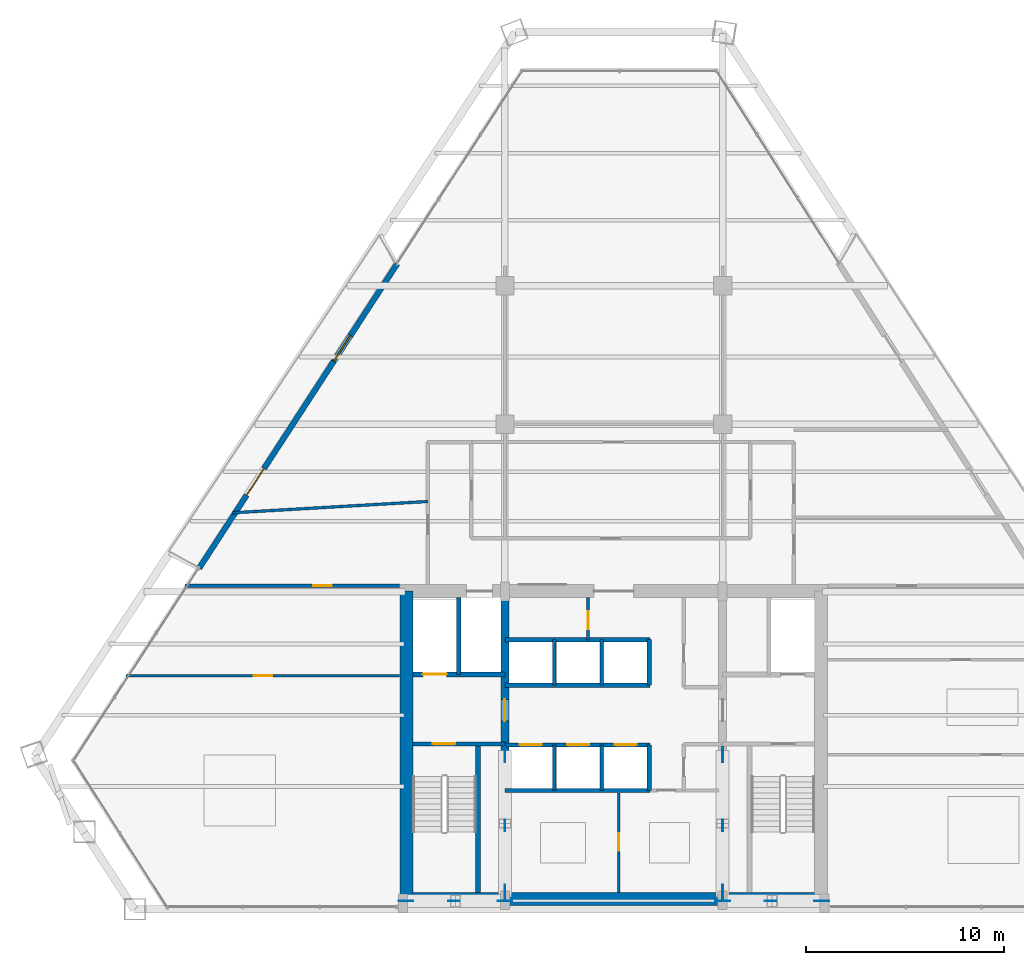
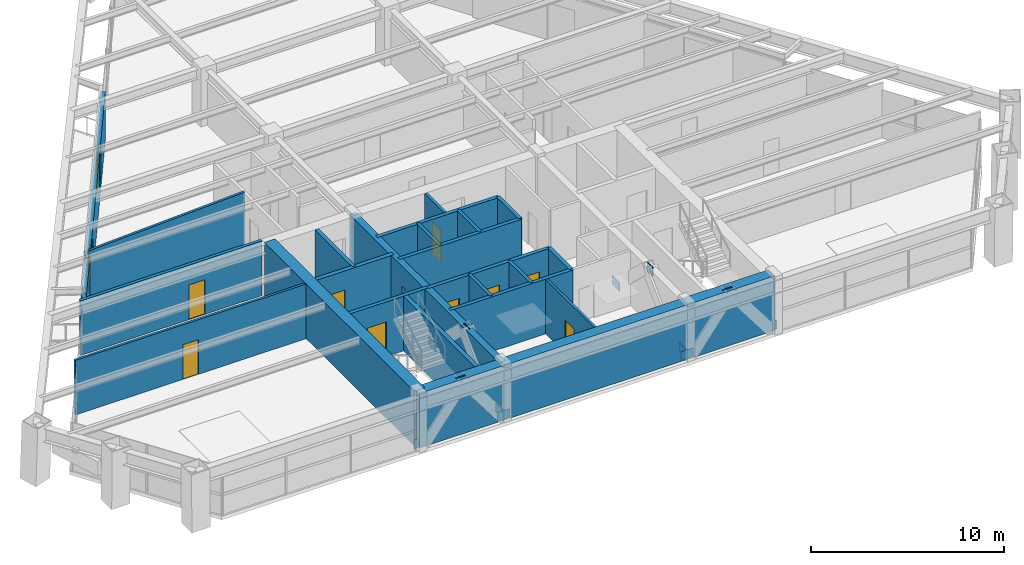
# One storey, part 11 of 15: 23 walls, 12 plates, 11 doors, 1 window, 12 openings.
"""IFC4 building model written with IfcOpenShell, lengths in metres."""

from ifc_helpers import new_model, si_unit, direction, frame, frame_2d, origin, origin_2d, place, context, subcontext, project, spatial, rectangle, extrude, source, transform, mapped, material, layer, layer_set, type_object, type_shapes, element, fill, save


model = new_model("IFC4")

# Units and contexts
model_context = context("Model", 3, precision=1e-05, world=origin(), true_north=direction((0.0, 1.0)))
body_context = subcontext(model_context, "Body", "Model", "MODEL_VIEW")
ifc_project = project(units=[si_unit("LENGTHUNIT", "METRE"), si_unit("AREAUNIT", "SQUARE_METRE"), si_unit("VOLUMEUNIT", "CUBIC_METRE"), si_unit("PLANEANGLEUNIT", "RADIAN"), si_unit("MASSUNIT", "GRAM", prefix="KILO")], contexts=[model_context])

# Site, building, storey
site_placement = place(None, origin())
site = spatial("IfcSite", under=ifc_project, at=site_placement, CompositionType="ELEMENT")
building_placement = place(site_placement, origin())
building = spatial("IfcBuilding", under=site, at=building_placement, Name="Varnakhor Terracotta Tower", CompositionType="ELEMENT")
storey_placement = place(building_placement, frame((0.0, 0.0, 140.39990234375)))
storey = spatial("IfcBuildingStorey", under=building, at=storey_placement, Name="L35", CompositionType="ELEMENT", Elevation=140.39990234375)

# Plates
ifc_material_1 = material(Name="Steel S460", Category="steel")
ifc_layer_1 = layer(ifc_material_1, 0.050048828125, Name="Steel S460")
ifc_layer_set_1 = layer_set([ifc_layer_1], Name="Steel S460")
plate_type = type_object("IfcPlateType", Name="PLT-GUSSET-50", PredefinedType="USERDEFINED", material=ifc_layer_set_1)
shared_shape_1 = source(origin(), body_context, "Body", "SweptSolid", [
    extrude(rectangle(XDim=0.75, YDim=0.0400390625, at=origin_2d()), origin(), (0.0, 0.0, 1.0), 0.550048828125),
])
type_shapes(plate_type, [shared_shape_1])
for number, where, z_axis, x_axis, name in (
    (1, (-10.5, 0.419921875, -0.0947265625), (0.0, 0.0, 1.0), (1.0, 0.0, 0.0), "L35 Core Brace Embed Plate CSWA"),
    (2, (-5.5, 0.419921875, -0.0947265625), (0.0, 0.0, 1.0), (1.0, 0.0, 0.0), "L35 Core Brace Embed Plate CSWB"),
    (3, (5.5, 0.419921875, -0.0947265625), (0.0, 0.0, 1.0), (1.0, 0.0, 0.0), "L35 Core Brace Embed Plate CSEA"),
    (4, (10.5, 0.419921875, -0.0947265625), (0.0, 0.0, 1.0), (1.0, 0.0, 0.0), "L35 Core Brace Embed Plate CSEB"),
    (5, (-5.5, 0.85009765625, -0.0947265625), (0.0, 0.0, 1.0), (0.0, 1.0, 0.0), "L35 Core Brace Embed Plate CWWA"),
    (6, (-5.5, 7.800048828125, -0.0947265625), (0.0, 0.0, 1.0), (0.0, 1.0, 0.0), "L35 Core Brace Embed Plate CWWB"),
    (7, (5.5, 0.85009765625, -0.0947265625), (0.0, 0.0, 1.0), (0.0, 1.0, 0.0), "L35 Core Brace Embed Plate CWEA"),
    (8, (5.5, 7.800048828125, -0.0947265625), (0.0, 0.0, 1.0), (0.0, 1.0, 0.0), "L35 Core Brace Embed Plate CWEB"),
):
    element("IfcPlate", number, at=place(storey_placement, frame(where, z_axis=z_axis, x_axis=x_axis)), inside=storey, type_object=plate_type, Name=name, ObjectType="GUSSET PLATE", PredefinedType="USERDEFINED", context=body_context, shape_type="MappedRepresentation", body=[
        mapped(shared_shape_1, transform((0.0, 0.0, 0.0), scale=1.0)),
    ])
shared_shape_2 = source(origin(), body_context, "Body", "SweptSolid", [
    extrude(rectangle(XDim=0.580078125, YDim=0.0400390625, at=origin_2d()), origin(), (0.0, 0.0, 1.0), 0.580078125),
])
for number, where, z_axis, x_axis, name in (
    (9, (-8.072265625, 0.419921875, 2.93408203125), (0.0, 0.0, 1.0), (1.0, 0.0, 0.0), "L35 Brace End Connection Plate 120"),
    (10, (7.927734375, 0.419921875, 2.93408203125), (0.0, 0.0, 1.0), (1.0, 0.0, 0.0), "L35 Brace End Connection Plate 121"),
    (11, (-5.5, 4.23828125, 2.947265625), (0.0, 0.0, 1.0), (0.0, 1.0, 0.0), "L35 Brace End Connection Plate 122"),
    (12, (5.5, 4.23828125, 2.947265625), (0.0, 0.0, 1.0), (0.0, 1.0, 0.0), "L35 Brace End Connection Plate 123"),
):
    element("IfcPlate", number, at=place(storey_placement, frame(where, z_axis=z_axis, x_axis=x_axis)), inside=storey, type_object=plate_type, Name=name, ObjectType="GUSSET PLATE", PredefinedType="USERDEFINED", context=body_context, shape_type="MappedRepresentation", body=[
        mapped(shared_shape_2, transform((0.0, 0.0, 0.0), scale=1.0)),
    ])

# Walls
ifc_material_2 = material(Name="Concrete C50/60", Category="concrete")
ifc_layer_2 = layer(ifc_material_2, 0.64990234375, Name="Concrete C50/60")
ifc_layer_set_2 = layer_set([ifc_layer_2], Name="Concrete C50/60")
wall_type_1 = type_object("IfcWallType", Name="WAL-CORE-650", PredefinedType="SHEAR", material=ifc_layer_set_2)
wall_1_placement = place(storey_placement, frame((-10.64990234375, 0.52490234375, 0.0), z_axis=(0.0, 0.0, 1.0), x_axis=(1.0, 0.0, 0.0)))
element("IfcWall", 13, at=wall_1_placement, inside=storey, type_object=wall_type_1, Name="L35 South Core Shear Wall", PredefinedType="SHEAR", context=body_context, shape_type="SweptSolid", body=[
    extrude(rectangle(XDim=21.2998046875, YDim=0.64990234375, at=frame_2d((10.64990234375, 0.0))), origin(), (0.0, 0.0, 1.0), 3.47021484375),
])
wall_2_placement = place(storey_placement, frame((-10.47509765625, 0.52490234375, 0.0), z_axis=(0.0, 0.0, 1.0), x_axis=(0.0, 1.0, 0.0)))
element("IfcWall", 14, at=wall_2_placement, inside=storey, type_object=wall_type_1, Name="L35 West Core Shear Wall", PredefinedType="SHEAR", context=body_context, shape_type="SweptSolid", body=[
    extrude(rectangle(XDim=15.550048828125, YDim=0.64990234375, at=frame_2d((7.77490234375, 0.0))), origin(), (0.0, 0.0, 1.0), 3.47021484375),
])

# Wall, opening, door
ifc_layer_3 = layer(ifc_material_2, 0.39990234375, Name="Concrete C50/60")
ifc_layer_set_3 = layer_set([ifc_layer_3], Name="Concrete C50/60")
wall_type_2 = type_object("IfcWallType", Name="WAL-CORE-WEB-400", PredefinedType="SHEAR", material=ifc_layer_set_3)
wall_3_placement = place(storey_placement, frame((-5.5, 0.52490234375, 0.0), z_axis=(0.0, 0.0, 1.0), x_axis=(0.0, 1.0, 0.0)))
wall_3 = element("IfcWall", 15, at=wall_3_placement, inside=storey, type_object=wall_type_2, Name="L35 West Core Web Shear Wall", PredefinedType="SHEAR", context=body_context, shape_type="SweptSolid", body=[
    extrude(rectangle(XDim=15.550048828125, YDim=0.39990234375, at=frame_2d((7.77490234375, 0.0))), origin(), (0.0, 0.0, 1.0), 3.47021484375),
])
opening_1_placement = place(wall_3_placement, frame((8.97509765625, 0.0, 0.0)))
opening_1 = element("IfcOpeningElement", 16, at=opening_1_placement, cuts=wall_3, Name="Opening DR-25", PredefinedType="OPENING", context=body_context, shape_type="SweptSolid", body=[
    extrude(rectangle(XDim=1.10009765625, YDim=2.199951171875, at=frame_2d((0.550048828125, 1.10009765625))), frame((0.0, 0.2099609375, 0.0), z_axis=(0.0, -1.0, 0.0), x_axis=(1.0, 0.0, 0.0)), (0.0, 0.0, 1.0), 0.419921875),
])
ifc_material_3 = material(Name="Firefighting Lobby Self-Closing Fire Door", Category="steel")
door_type_1 = type_object("IfcDoorType", Name="DR-FFL-1100X2200", OperationType="NOTDEFINED", PredefinedType="DOOR", material=ifc_material_3)
shared_shape_3 = source(origin(), body_context, "Body", "SweptSolid", [
    extrude(rectangle(XDim=1.10009765625, YDim=2.199951171875, at=frame_2d((0.550048828125, 1.10009765625))), frame((0.0, 0.02490234375, 0.0), z_axis=(0.0, -1.0, 0.0), x_axis=(1.0, 0.0, 0.0)), (0.0, 0.0, 1.0), 0.050048828125),
])
type_shapes(door_type_1, [shared_shape_3])
door_1_placement = place(opening_1_placement, origin())
door_1 = element("IfcDoor", 17, at=door_1_placement, inside=storey, type_object=door_type_1, Name="L35 West Firefighting Lobby Door", OperationType="SINGLE_SWING_LEFT", OverallHeight=2.199951171875, OverallWidth=1.10009765625, PredefinedType="DOOR", context=body_context, shape_type="MappedRepresentation", body=[
    mapped(shared_shape_3, transform((0.0, 0.0, 0.0), scale=1.0)),
])
fill(opening_1, door_1)

ifc_material_4 = material(Name="Fire-Rated Gypsum Stud Partition", Category="gypsum")
ifc_layer_4 = layer(ifc_material_4, 0.18505859375, Name="Fire-Rated Gypsum Stud Partition")
ifc_layer_set_4 = layer_set([ifc_layer_4], Name="Fire-Rated Gypsum Stud Partition")
wall_type_3 = type_object("IfcWallType", Name="WAL-CORR-185", PredefinedType="PARTITIONING", material=ifc_layer_set_4)
wall_4_placement = place(storey_placement, frame((-21.67529296875, 16.35009765625, 0.0), z_axis=(0.0, 0.0, 1.0), x_axis=(1.0, 0.0, 0.0)))
wall_4 = element("IfcWall", 18, at=wall_4_placement, inside=storey, type_object=wall_type_3, Name="L35 South West Entry Wall", PredefinedType="PARTITIONING", context=body_context, shape_type="SweptSolid", body=[
    extrude(rectangle(XDim=10.855224609375, YDim=0.18505859375, at=frame_2d((5.427734375, 0.0))), origin(), (0.0, 0.0, 1.0), 3.462158203125),
])
opening_2_placement = place(wall_4_placement, frame((6.47900390625, 0.0, 0.0)))
opening_2 = element("IfcOpeningElement", 19, at=opening_2_placement, cuts=wall_4, Name="Opening DR-94", PredefinedType="OPENING", context=body_context, shape_type="SweptSolid", body=[
    extrude(rectangle(XDim=0.949951171875, YDim=2.199951171875, at=frame_2d((0.47509765625, 1.10009765625))), frame((0.0, 0.1025390625, 0.0), z_axis=(0.0, -1.0, 0.0), x_axis=(1.0, 0.0, 0.0)), (0.0, 0.0, 1.0), 0.205078125),
])
ifc_material_5 = material(Name="Acoustic Glazed-Vision Timber Office Door", Category="wood")
door_type_2 = type_object("IfcDoorType", Name="DR-OFF-950X2200", OperationType="NOTDEFINED", PredefinedType="DOOR", material=ifc_material_5)
shared_shape_4 = source(origin(), body_context, "Body", "SweptSolid", [
    extrude(rectangle(XDim=0.949951171875, YDim=2.199951171875, at=frame_2d((0.47509765625, 1.10009765625))), frame((0.0, 0.02490234375, 0.0), z_axis=(0.0, -1.0, 0.0), x_axis=(1.0, 0.0, 0.0)), (0.0, 0.0, 1.0), 0.050048828125),
])
type_shapes(door_type_2, [shared_shape_4])
door_2_placement = place(opening_2_placement, origin())
door_2 = element("IfcDoor", 20, at=door_2_placement, inside=storey, type_object=door_type_2, Name="L35 SW Suite Door", OperationType="SINGLE_SWING_RIGHT", OverallHeight=2.199951171875, OverallWidth=0.949951171875, PredefinedType="DOOR", context=body_context, shape_type="MappedRepresentation", body=[
    mapped(shared_shape_4, transform((0.0, 0.0, 0.0), scale=1.0)),
])
fill(opening_2, door_2)

# Wall, openings, door, window
ifc_material_6 = material(Name="Extruded Architectural Terracotta Assembly", Category="masonry")
ifc_layer_5 = layer(ifc_material_6, 0.280029296875, Name="Extruded Architectural Terracotta Assembly")
ifc_layer_set_5 = layer_set([ifc_layer_5], Name="Extruded Architectural Terracotta Assembly")
wall_type_4 = type_object("IfcWallType", Name="WAL-EXT-TERRACOTTA-280", PredefinedType="SOLIDWALL", material=ifc_layer_set_5)
wall_5_placement = place(storey_placement, frame((-20.947998046875, 17.2294921875, 0.0), z_axis=(0.0, 0.0, 1.0), x_axis=(0.545376053717, 0.838191481723, 0.0)))
wall_5 = element("IfcWall", 21, at=wall_5_placement, inside=storey, type_object=wall_type_4, Name="L35 W Loggia Insulated Terracotta Wall", PredefinedType="SOLIDWALL", context=body_context, shape_type="SweptSolid", body=[
    extrude(rectangle(XDim=18.34619140625, YDim=0.280029296875, at=frame_2d((9.173095703125, 0.0))), origin(), (0.0, 0.0, 1.0), 3.050048828125),
])
opening_3_placement = place(wall_5_placement, frame((4.403076171875, 0.0, 0.0)))
opening_3 = element("IfcOpeningElement", 22, at=opening_3_placement, cuts=wall_5, Name="Opening DR-62", PredefinedType="OPENING", context=body_context, shape_type="SweptSolid", body=[
    extrude(rectangle(XDim=1.60009765625, YDim=2.35009765625, at=frame_2d((0.800048828125, 1.175048828125))), frame((0.0, 0.14990234375, 0.0), z_axis=(0.0, -1.0, 0.0), x_axis=(1.0, 0.0, 0.0)), (0.0, 0.0, 1.0), 0.300048828125),
])
opening_4_placement = place(wall_5_placement, frame((12.475341796875, 0.0, 0.89990234375)))
opening_4 = element("IfcOpeningElement", 23, at=opening_4_placement, cuts=wall_5, Name="Opening WN-57", PredefinedType="OPENING", context=body_context, shape_type="SweptSolid", body=[
    extrude(rectangle(XDim=1.550048828125, YDim=1.85009765625, at=frame_2d((0.77490234375, 0.925048828125))), frame((0.0, 0.14990234375, 0.0), z_axis=(0.0, -1.0, 0.0), x_axis=(1.0, 0.0, 0.0)), (0.0, 0.0, 1.0), 0.300048828125),
])
ifc_material_7 = material(Name="Thermally Broken Sliding Glass Loggia Door", Category="glass")
door_type_3 = type_object("IfcDoorType", Name="DR-EXT-LOGGIA-1600X2350", OperationType="NOTDEFINED", PredefinedType="DOOR", material=ifc_material_7)
shared_shape_5 = source(origin(), body_context, "Body", "SweptSolid", [
    extrude(rectangle(XDim=1.60009765625, YDim=2.35009765625, at=frame_2d((0.800048828125, 1.175048828125))), frame((0.0, 0.02490234375, 0.0), z_axis=(0.0, -1.0, 0.0), x_axis=(1.0, 0.0, 0.0)), (0.0, 0.0, 1.0), 0.050048828125),
])
type_shapes(door_type_3, [shared_shape_5])
door_3_placement = place(opening_3_placement, origin())
door_3 = element("IfcDoor", 24, at=door_3_placement, inside=storey, type_object=door_type_3, Name="L35 W Recessed Loggia Sliding Door", OperationType="SLIDING_TO_LEFT", OverallHeight=2.35009765625, OverallWidth=1.60009765625, PredefinedType="DOOR", context=body_context, shape_type="MappedRepresentation", body=[
    mapped(shared_shape_5, transform((0.0, 0.0, 0.0), scale=1.0)),
])
fill(opening_3, door_3)
ifc_material_8 = material(Name="Solar-Control Low-E Insulated Glass Unit", Category="glass")
window_type = type_object("IfcWindowType", Name="WIN-OFF-1650X2100", PartitioningType="SINGLE_PANEL", PredefinedType="WINDOW", material=ifc_material_8)
shared_shape_6 = source(origin(), body_context, "Body", "SweptSolid", [
    extrude(rectangle(XDim=1.550048828125, YDim=1.85009765625, at=frame_2d((0.77490234375, 0.925048828125))), frame((0.0, 0.030029296875, 0.0), z_axis=(0.0, -1.0, 0.0), x_axis=(1.0, 0.0, 0.0)), (0.0, 0.0, 1.0), 0.06005859375),
])
type_shapes(window_type, [shared_shape_6])
window_placement = place(opening_4_placement, origin())
window = element("IfcWindow", 25, at=window_placement, inside=storey, type_object=window_type, Name="L35 W Facet Punched Window", OverallHeight=1.85009765625, OverallWidth=1.550048828125, PartitioningType="SINGLE_PANEL", PredefinedType="WINDOW", context=body_context, shape_type="MappedRepresentation", body=[
    mapped(shared_shape_6, transform((0.0, 0.0, 0.0), scale=1.0)),
])
fill(opening_4, window)

# Wall, opening, door
ifc_material_9 = material(Name="Concrete C40/50", Category="concrete")
ifc_layer_6 = layer(ifc_material_9, 0.219970703125, Name="Concrete C40/50")
ifc_layer_set_6 = layer_set([ifc_layer_6], Name="Concrete C40/50")
wall_type_5 = type_object("IfcWallType", Name="WAL-FFLOBBY-220", PredefinedType="SOLIDWALL", material=ifc_layer_set_6)
wall_6_placement = place(storey_placement, frame((-5.5, 8.35009765625, 0.0), z_axis=(0.0, 0.0, 1.0), x_axis=(-1.0, 0.0, 0.0)))
wall_6 = element("IfcWall", 26, at=wall_6_placement, inside=storey, type_object=wall_type_5, Name="L35 West Firefighting Lobby Stair Wall", PredefinedType="SOLIDWALL", context=body_context, shape_type="SweptSolid", body=[
    extrude(rectangle(XDim=4.64990234375, YDim=0.219970703125, at=frame_2d((2.324951171875, 0.0))), origin(), (0.0, 0.0, 1.0), 3.47021484375),
])
opening_5_placement = place(wall_6_placement, frame((2.5, 0.0, 0.0)))
opening_5 = element("IfcOpeningElement", 27, at=opening_5_placement, cuts=wall_6, Name="Opening DR-34", PredefinedType="OPENING", context=body_context, shape_type="SweptSolid", body=[
    extrude(rectangle(XDim=1.14990234375, YDim=2.199951171875, at=frame_2d((0.574951171875, 1.10009765625))), frame((0.0, 0.1201171875, 0.0), z_axis=(0.0, -1.0, 0.0), x_axis=(1.0, 0.0, 0.0)), (0.0, 0.0, 1.0), 0.239990234375),
])
ifc_material_10 = material(Name="Self-Closing Smoke-Sealed Steel Fire Door", Category="steel")
door_type_4 = type_object("IfcDoorType", Name="DR-STAIR-1150X2200", OperationType="NOTDEFINED", PredefinedType="DOOR", material=ifc_material_10)
shared_shape_7 = source(origin(), body_context, "Body", "SweptSolid", [
    extrude(rectangle(XDim=1.14990234375, YDim=2.199951171875, at=frame_2d((0.574951171875, 1.10009765625))), frame((0.0, 0.02490234375, 0.0), z_axis=(0.0, -1.0, 0.0), x_axis=(1.0, 0.0, 0.0)), (0.0, 0.0, 1.0), 0.050048828125),
])
type_shapes(door_type_4, [shared_shape_7])
door_4_placement = place(opening_5_placement, origin())
door_4 = element("IfcDoor", 28, at=door_4_placement, inside=storey, type_object=door_type_4, Name="L35 Exit Stair ST-1 Fire Door", OperationType="SINGLE_SWING_RIGHT", OverallHeight=2.199951171875, OverallWidth=1.14990234375, PredefinedType="DOOR", context=body_context, shape_type="MappedRepresentation", body=[
    mapped(shared_shape_7, transform((0.0, 0.0, 0.0), scale=1.0)),
])
fill(opening_5, door_4)

ifc_material_11 = material(Name="Acoustic Metal-Stud Partition", Category="gypsum")
ifc_layer_7 = layer(ifc_material_11, 0.139892578125, Name="Acoustic Metal-Stud Partition")
ifc_layer_set_7 = layer_set([ifc_layer_7], Name="Acoustic Metal-Stud Partition")
wall_type_6 = type_object("IfcWallType", Name="WAL-PART-140", PredefinedType="PARTITIONING", material=ifc_layer_set_7)
wall_7_placement = place(storey_placement, frame((-24.6357421875, 11.800048828125, 0.0), z_axis=(0.0, 0.0, 1.0), x_axis=(1.0, 0.0, 0.0)))
wall_7 = element("IfcWall", 29, at=wall_7_placement, inside=storey, type_object=wall_type_6, Name="L35 West Wing Cut 1", PredefinedType="PARTITIONING", context=body_context, shape_type="SweptSolid", body=[
    extrude(rectangle(XDim=13.815673828125, YDim=0.139892578125, at=frame_2d((6.90771484375, 0.0))), origin(), (0.0, 0.0, 1.0), 3.462158203125),
])
opening_6_placement = place(wall_7_placement, frame((6.4423828125, 0.0, 0.0)))
opening_6 = element("IfcOpeningElement", 30, at=opening_6_placement, cuts=wall_7, Name="Opening DR-94", PredefinedType="OPENING", context=body_context, shape_type="SweptSolid", body=[
    extrude(rectangle(XDim=0.949951171875, YDim=2.199951171875, at=frame_2d((0.47509765625, 1.10009765625))), frame((0.0, 0.080078125, 0.0), z_axis=(0.0, -1.0, 0.0), x_axis=(1.0, 0.0, 0.0)), (0.0, 0.0, 1.0), 0.159912109375),
])
door_5_placement = place(opening_6_placement, origin())
door_5 = element("IfcDoor", 31, at=door_5_placement, inside=storey, type_object=door_type_2, Name="L35 Counsel Office 7 Door", OperationType="SINGLE_SWING_RIGHT", OverallHeight=2.199951171875, OverallWidth=0.949951171875, PredefinedType="DOOR", context=body_context, shape_type="MappedRepresentation", body=[
    mapped(shared_shape_4, transform((0.0, 0.0, 0.0), scale=1.0)),
])
fill(opening_6, door_5)

# Walls
wall_8_placement = place(storey_placement, frame((-19.28271484375, 20.027099609375, 0.0), z_axis=(0.0, 0.0, 1.0), x_axis=(0.998323429122, 0.057882042691, 0.0)))
element("IfcWall", 32, at=wall_8_placement, inside=storey, type_object=wall_type_6, Name="L35 West Wing Cut 2", PredefinedType="PARTITIONING", context=body_context, shape_type="SweptSolid", body=[
    extrude(rectangle(XDim=9.8994140625, YDim=0.139892578125, at=frame_2d((4.94970703125, 0.0))), origin(), (0.0, 0.0, 1.0), 3.462158203125),
])
ifc_layer_8 = layer(ifc_material_9, 0.179931640625, Name="Concrete C40/50")
ifc_layer_set_8 = layer_set([ifc_layer_8], Name="Concrete C40/50")
wall_type_7 = type_object("IfcWallType", Name="WAL-SHAFT-180", PredefinedType="SOLIDWALL", material=ifc_layer_set_8)
for number, where, z_axis, x_axis, name in (
    (33, (-3.0, 6.0, 0.0), (0.0, 0.0, 1.0), (0.0, 1.0, 0.0), "L35 PL-2A Divider"),
    (34, (-0.60009765625, 6.0, 0.0), (0.0, 0.0, 1.0), (0.0, 1.0, 0.0), "L35 PL-2B Divider"),
    (35, (-3.0, 11.320068359375, 0.0), (0.0, 0.0, 1.0), (0.0, 1.0, 0.0), "L35 PL-3A Divider"),
    (36, (-0.60009765625, 11.320068359375, 0.0), (0.0, 0.0, 1.0), (0.0, 1.0, 0.0), "L35 PL-3B Divider"),
):
    element("IfcWall", number, at=place(storey_placement, frame(where, z_axis=z_axis, x_axis=x_axis)), inside=storey, type_object=wall_type_7, Name=name, PredefinedType="SOLIDWALL", context=body_context, shape_type="SweptSolid", body=[
        extrude(rectangle(XDim=2.300048828125, YDim=0.179931640625, at=frame_2d((1.14990234375, 0.0))), origin(), (0.0, 0.0, 1.0), 3.47021484375),
    ])
ifc_layer_9 = layer(ifc_material_9, 0.219970703125, Name="Concrete C40/50")
ifc_layer_set_9 = layer_set([ifc_layer_9], Name="Concrete C40/50")
wall_type_8 = type_object("IfcWallType", Name="WAL-SHAFT-220", PredefinedType="SOLIDWALL", material=ifc_layer_set_9)
wall_9_placement = place(storey_placement, frame((-7.840087890625, 11.8701171875, 0.0), z_axis=(0.0, 0.0, 1.0), x_axis=(0.0, 1.0, 0.0)))
element("IfcWall", 37, at=wall_9_placement, inside=storey, type_object=wall_type_8, Name="L35 Lift FFL-1 and SVL-1 Divider Wall", PredefinedType="SOLIDWALL", context=body_context, shape_type="SweptSolid", body=[
    extrude(rectangle(XDim=3.8798828125, YDim=0.219970703125, at=frame_2d((1.93994140625, 0.0))), origin(), (0.0, 0.0, 1.0), 3.47021484375),
])
wall_10_placement = place(storey_placement, frame((-5.5, 6.0, 0.0), z_axis=(0.0, 0.0, 1.0), x_axis=(1.0, 0.0, 0.0)))
element("IfcWall", 38, at=wall_10_placement, inside=storey, type_object=wall_type_8, Name="L35 Bank 2 South Shaft Wall", PredefinedType="SOLIDWALL", context=body_context, shape_type="SweptSolid", body=[
    extrude(rectangle(XDim=7.320068359375, YDim=0.219970703125, at=frame_2d((3.66015625, 0.0))), origin(), (0.0, 0.0, 1.0), 3.47021484375),
])

# Wall, openings, doors
wall_11_placement = place(storey_placement, frame((-5.5, 8.300048828125, 0.0), z_axis=(0.0, 0.0, 1.0), x_axis=(1.0, 0.0, 0.0)))
wall_11 = element("IfcWall", 39, at=wall_11_placement, inside=storey, type_object=wall_type_8, Name="L35 Bank 2 North Shaft Wall", PredefinedType="SOLIDWALL", context=body_context, shape_type="SweptSolid", body=[
    extrude(rectangle(XDim=7.320068359375, YDim=0.219970703125, at=frame_2d((3.66015625, 0.0))), origin(), (0.0, 0.0, 1.0), 3.47021484375),
])
opening_7_placement = place(wall_11_placement, frame((0.75, 0.0, 0.0)))
opening_7 = element("IfcOpeningElement", 40, at=opening_7_placement, cuts=wall_11, Name="Opening LD-01", PredefinedType="OPENING", context=body_context, shape_type="SweptSolid", body=[
    extrude(rectangle(XDim=1.10009765625, YDim=2.199951171875, at=frame_2d((0.550048828125, 1.10009765625))), frame((0.0, 0.1201171875, 0.0), z_axis=(0.0, -1.0, 0.0), x_axis=(1.0, 0.0, 0.0)), (0.0, 0.0, 1.0), 0.239990234375),
])
opening_8_placement = place(wall_11_placement, frame((3.14990234375, 0.0, 0.0)))
opening_8 = element("IfcOpeningElement", 41, at=opening_8_placement, cuts=wall_11, Name="Opening LD-01", PredefinedType="OPENING", context=body_context, shape_type="SweptSolid", body=[
    extrude(rectangle(XDim=1.10009765625, YDim=2.199951171875, at=frame_2d((0.550048828125, 1.10009765625))), frame((0.0, 0.1201171875, 0.0), z_axis=(0.0, -1.0, 0.0), x_axis=(1.0, 0.0, 0.0)), (0.0, 0.0, 1.0), 0.239990234375),
])
opening_9_placement = place(wall_11_placement, frame((5.550048828125, 0.0, 0.0)))
opening_9 = element("IfcOpeningElement", 42, at=opening_9_placement, cuts=wall_11, Name="Opening LD-01", PredefinedType="OPENING", context=body_context, shape_type="SweptSolid", body=[
    extrude(rectangle(XDim=1.10009765625, YDim=2.199951171875, at=frame_2d((0.550048828125, 1.10009765625))), frame((0.0, 0.1201171875, 0.0), z_axis=(0.0, -1.0, 0.0), x_axis=(1.0, 0.0, 0.0)), (0.0, 0.0, 1.0), 0.239990234375),
])
ifc_material_12 = material(Name="Brushed Stainless Steel Sliding Lift Landing Door", Category="steel")
door_type_5 = type_object("IfcDoorType", Name="LD-PASS-1100X2200", OperationType="NOTDEFINED", PredefinedType="DOOR", material=ifc_material_12)
shared_shape_8 = source(origin(), body_context, "Body", "SweptSolid", [
    extrude(rectangle(XDim=1.10009765625, YDim=2.199951171875, at=frame_2d((0.550048828125, 1.10009765625))), frame((0.0, 0.02490234375, 0.0), z_axis=(0.0, -1.0, 0.0), x_axis=(1.0, 0.0, 0.0)), (0.0, 0.0, 1.0), 0.050048828125),
])
type_shapes(door_type_5, [shared_shape_8])
door_6_placement = place(opening_7_placement, origin())
door_6 = element("IfcDoor", 43, at=door_6_placement, inside=storey, type_object=door_type_5, Name="L35 Passenger Lift PL-2A Landing Door", OperationType="SLIDING_TO_LEFT", OverallHeight=2.199951171875, OverallWidth=1.10009765625, PredefinedType="DOOR", context=body_context, shape_type="MappedRepresentation", body=[
    mapped(shared_shape_8, transform((0.0, 0.0, 0.0), scale=1.0)),
])
fill(opening_7, door_6)
door_7_placement = place(opening_8_placement, origin())
door_7 = element("IfcDoor", 44, at=door_7_placement, inside=storey, type_object=door_type_5, Name="L35 Passenger Lift PL-2B Landing Door", OperationType="SLIDING_TO_LEFT", OverallHeight=2.199951171875, OverallWidth=1.10009765625, PredefinedType="DOOR", context=body_context, shape_type="MappedRepresentation", body=[
    mapped(shared_shape_8, transform((0.0, 0.0, 0.0), scale=1.0)),
])
fill(opening_8, door_7)
door_8_placement = place(opening_9_placement, origin())
door_8 = element("IfcDoor", 45, at=door_8_placement, inside=storey, type_object=door_type_5, Name="L35 Passenger Lift PL-2C Landing Door", OperationType="SLIDING_TO_LEFT", OverallHeight=2.199951171875, OverallWidth=1.10009765625, PredefinedType="DOOR", context=body_context, shape_type="MappedRepresentation", body=[
    mapped(shared_shape_8, transform((0.0, 0.0, 0.0), scale=1.0)),
])
fill(opening_9, door_8)

# Walls
wall_12_placement = place(storey_placement, frame((1.800048828125, 6.0, 0.0), z_axis=(0.0, 0.0, 1.0), x_axis=(0.0, 1.0, 0.0)))
element("IfcWall", 46, at=wall_12_placement, inside=storey, type_object=wall_type_8, Name="L35 Bank 2 East Shaft Wall", PredefinedType="SOLIDWALL", context=body_context, shape_type="SweptSolid", body=[
    extrude(rectangle(XDim=2.300048828125, YDim=0.219970703125, at=frame_2d((1.14990234375, 0.0))), origin(), (0.0, 0.0, 1.0), 3.47021484375),
])
for number, where, z_axis, x_axis, name in (
    (47, (-5.5, 11.320068359375, 0.0), (0.0, 0.0, 1.0), (1.0, 0.0, 0.0), "L35 Bank 3 South Shaft Wall"),
    (48, (-5.5, 13.6201171875, 0.0), (0.0, 0.0, 1.0), (1.0, 0.0, 0.0), "L35 Bank 3 North Shaft Wall"),
):
    element("IfcWall", number, at=place(storey_placement, frame(where, z_axis=z_axis, x_axis=x_axis)), inside=storey, type_object=wall_type_8, Name=name, PredefinedType="SOLIDWALL", context=body_context, shape_type="SweptSolid", body=[
        extrude(rectangle(XDim=7.320068359375, YDim=0.219970703125, at=frame_2d((3.66015625, 0.0))), origin(), (0.0, 0.0, 1.0), 3.47021484375),
    ])
wall_13_placement = place(storey_placement, frame((1.800048828125, 11.320068359375, 0.0), z_axis=(0.0, 0.0, 1.0), x_axis=(0.0, 1.0, 0.0)))
element("IfcWall", 49, at=wall_13_placement, inside=storey, type_object=wall_type_8, Name="L35 Bank 3 East Shaft Wall", PredefinedType="SOLIDWALL", context=body_context, shape_type="SweptSolid", body=[
    extrude(rectangle(XDim=2.300048828125, YDim=0.219970703125, at=frame_2d((1.14990234375, 0.0))), origin(), (0.0, 0.0, 1.0), 3.47021484375),
])
ifc_layer_10 = layer(ifc_material_9, 0.25, Name="Concrete C40/50")
ifc_layer_set_10 = layer_set([ifc_layer_10], Name="Concrete C40/50")
wall_type_9 = type_object("IfcWallType", Name="WAL-SHAFT-250", PredefinedType="SOLIDWALL", material=ifc_layer_set_10)
wall_14_placement = place(storey_placement, frame((-6.85009765625, 0.85009765625, 0.0), z_axis=(0.0, 0.0, 1.0), x_axis=(0.0, 1.0, 0.0)))
element("IfcWall", 50, at=wall_14_placement, inside=storey, type_object=wall_type_9, Name="L35 Stair ST-1 Bearing Shaft Wall", PredefinedType="SOLIDWALL", context=body_context, shape_type="SweptSolid", body=[
    extrude(rectangle(XDim=7.5, YDim=0.25, at=frame_2d((3.75, 0.0))), origin(), (0.0, 0.0, 1.0), 3.47021484375),
])

# Wall, opening, door
wall_15_placement = place(storey_placement, frame((-5.5, 11.8701171875, 0.0), z_axis=(0.0, 0.0, 1.0), x_axis=(-1.0, 0.0, 0.0)))
wall_15 = element("IfcWall", 51, at=wall_15_placement, inside=storey, type_object=wall_type_9, Name="L35 Lift FFL-1 Shaft Front Wall", PredefinedType="SOLIDWALL", context=body_context, shape_type="SweptSolid", body=[
    extrude(rectangle(XDim=4.64990234375, YDim=0.25, at=frame_2d((2.324951171875, 0.0))), origin(), (0.0, 0.0, 1.0), 3.47021484375),
])
opening_10_placement = place(wall_15_placement, frame((2.949951171875, 0.0, 0.0)))
opening_10 = element("IfcOpeningElement", 52, at=opening_10_placement, cuts=wall_15, Name="Opening LD-02", PredefinedType="OPENING", context=body_context, shape_type="SweptSolid", body=[
    extrude(rectangle(XDim=1.199951171875, YDim=2.25, at=frame_2d((0.60009765625, 1.125))), frame((0.0, 0.135009765625, 0.0), z_axis=(0.0, -1.0, 0.0), x_axis=(1.0, 0.0, 0.0)), (0.0, 0.0, 1.0), 0.27001953125),
])
ifc_material_13 = material(Name="Firefighting Stretcher Sliding Lift Landing Door", Category="steel")
door_type_6 = type_object("IfcDoorType", Name="LD-FFL-1200X2250", OperationType="NOTDEFINED", PredefinedType="DOOR", material=ifc_material_13)
shared_shape_9 = source(origin(), body_context, "Body", "SweptSolid", [
    extrude(rectangle(XDim=1.199951171875, YDim=2.25, at=frame_2d((0.60009765625, 1.125))), frame((0.0, 0.02490234375, 0.0), z_axis=(0.0, -1.0, 0.0), x_axis=(1.0, 0.0, 0.0)), (0.0, 0.0, 1.0), 0.050048828125),
])
type_shapes(door_type_6, [shared_shape_9])
door_9_placement = place(opening_10_placement, origin())
door_9 = element("IfcDoor", 53, at=door_9_placement, inside=storey, type_object=door_type_6, Name="L35 Firefighting Lift FFL-1 Landing Door", OperationType="SLIDING_TO_LEFT", OverallHeight=2.25, OverallWidth=1.199951171875, PredefinedType="DOOR", context=body_context, shape_type="MappedRepresentation", body=[
    mapped(shared_shape_9, transform((0.0, 0.0, 0.0), scale=1.0)),
])
fill(opening_10, door_9)

ifc_material_14 = material(Name="Acoustic Fire-Rated Partition", Category="gypsum")
ifc_layer_11 = layer(ifc_material_14, 0.139892578125, Name="Acoustic Fire-Rated Partition")
ifc_layer_set_11 = layer_set([ifc_layer_11], Name="Acoustic Fire-Rated Partition")
wall_type_10 = type_object("IfcWallType", Name="WAL-TENANCY-140", PredefinedType="PARTITIONING", material=ifc_layer_set_11)
wall_16_placement = place(storey_placement, frame((0.25, 0.85009765625, 0.0), z_axis=(0.0, 0.0, 1.0), x_axis=(0.0, 1.0, 0.0)))
wall_16 = element("IfcWall", 54, at=wall_16_placement, inside=storey, type_object=wall_type_10, Name="L35 Reclaimed Core Bay Split Wall", PredefinedType="PARTITIONING", context=body_context, shape_type="SweptSolid", body=[
    extrude(rectangle(XDim=5.02978515625, YDim=0.139892578125, at=frame_2d((2.514892578125, 0.0))), origin(), (0.0, 0.0, 1.0), 3.462158203125),
])
opening_11_placement = place(wall_16_placement, frame((2.10009765625, 0.0, 0.0)))
opening_11 = element("IfcOpeningElement", 55, at=opening_11_placement, cuts=wall_16, Name="Opening DR-67", PredefinedType="OPENING", context=body_context, shape_type="SweptSolid", body=[
    extrude(rectangle(XDim=0.89990234375, YDim=2.10009765625, at=frame_2d((0.449951171875, 1.050048828125))), frame((0.0, 0.080078125, 0.0), z_axis=(0.0, -1.0, 0.0), x_axis=(1.0, 0.0, 0.0)), (0.0, 0.0, 1.0), 0.159912109375),
])
ifc_material_15 = material(Name="Steel Service Riser Fire Door", Category="steel")
door_type_7 = type_object("IfcDoorType", Name="DR-RISER-900X2100", OperationType="NOTDEFINED", PredefinedType="DOOR", material=ifc_material_15)
shared_shape_10 = source(origin(), body_context, "Body", "SweptSolid", [
    extrude(rectangle(XDim=0.89990234375, YDim=2.10009765625, at=frame_2d((0.449951171875, 1.050048828125))), frame((0.0, 0.02490234375, 0.0), z_axis=(0.0, -1.0, 0.0), x_axis=(1.0, 0.0, 0.0)), (0.0, 0.0, 1.0), 0.050048828125),
])
type_shapes(door_type_7, [shared_shape_10])
door_10_placement = place(opening_11_placement, origin())
door_10 = element("IfcDoor", 56, at=door_10_placement, inside=storey, type_object=door_type_7, Name="L35 Core Inner Service Door", OperationType="SINGLE_SWING_LEFT", OverallHeight=2.10009765625, OverallWidth=0.89990234375, PredefinedType="DOOR", context=body_context, shape_type="MappedRepresentation", body=[
    mapped(shared_shape_10, transform((0.0, 0.0, 0.0), scale=1.0)),
])
fill(opening_11, door_10)

ifc_layer_12 = layer(ifc_material_14, 0.1650390625, Name="Acoustic Fire-Rated Partition")
ifc_layer_set_12 = layer_set([ifc_layer_12], Name="Acoustic Fire-Rated Partition")
wall_type_11 = type_object("IfcWallType", Name="WAL-TENANCY-165", PredefinedType="PARTITIONING", material=ifc_layer_set_12)
wall_17_placement = place(storey_placement, frame((-1.300048828125, 13.60009765625, 0.0), z_axis=(0.0, 0.0, 1.0), x_axis=(0.0, 1.0, 0.0)))
wall_17 = element("IfcWall", 57, at=wall_17_placement, inside=storey, type_object=wall_type_11, Name="L35 Male Restroom Wall", PredefinedType="PARTITIONING", context=body_context, shape_type="SweptSolid", body=[
    extrude(rectangle(XDim=2.14990234375, YDim=0.1650390625, at=frame_2d((1.074951171875, 0.0))), origin(), (0.0, 0.0, 1.0), 3.462158203125),
])
opening_12_placement = place(wall_17_placement, frame((0.550048828125, 0.0, 0.0)))
opening_12 = element("IfcOpeningElement", 58, at=opening_12_placement, cuts=wall_17, Name="Opening DR-67", PredefinedType="OPENING", context=body_context, shape_type="SweptSolid", body=[
    extrude(rectangle(XDim=0.89990234375, YDim=2.10009765625, at=frame_2d((0.449951171875, 1.050048828125))), frame((0.0, 0.092529296875, 0.0), z_axis=(0.0, -1.0, 0.0), x_axis=(1.0, 0.0, 0.0)), (0.0, 0.0, 1.0), 0.18505859375),
])
door_11_placement = place(opening_12_placement, origin())
door_11 = element("IfcDoor", 59, at=door_11_placement, inside=storey, type_object=door_type_7, Name="L35 Male WC Door", OperationType="SINGLE_SWING_LEFT", OverallHeight=2.10009765625, OverallWidth=0.89990234375, PredefinedType="DOOR", context=body_context, shape_type="MappedRepresentation", body=[
    mapped(shared_shape_10, transform((0.0, 0.0, 0.0), scale=1.0)),
])
fill(opening_12, door_11)

save(model, "model.ifc")
